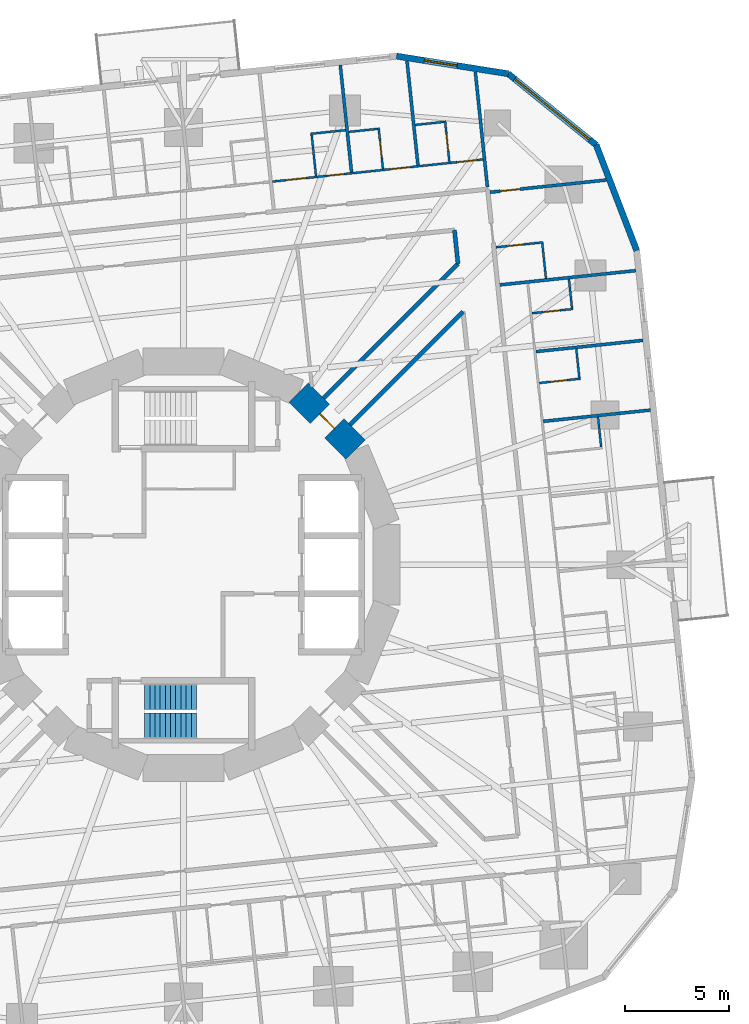
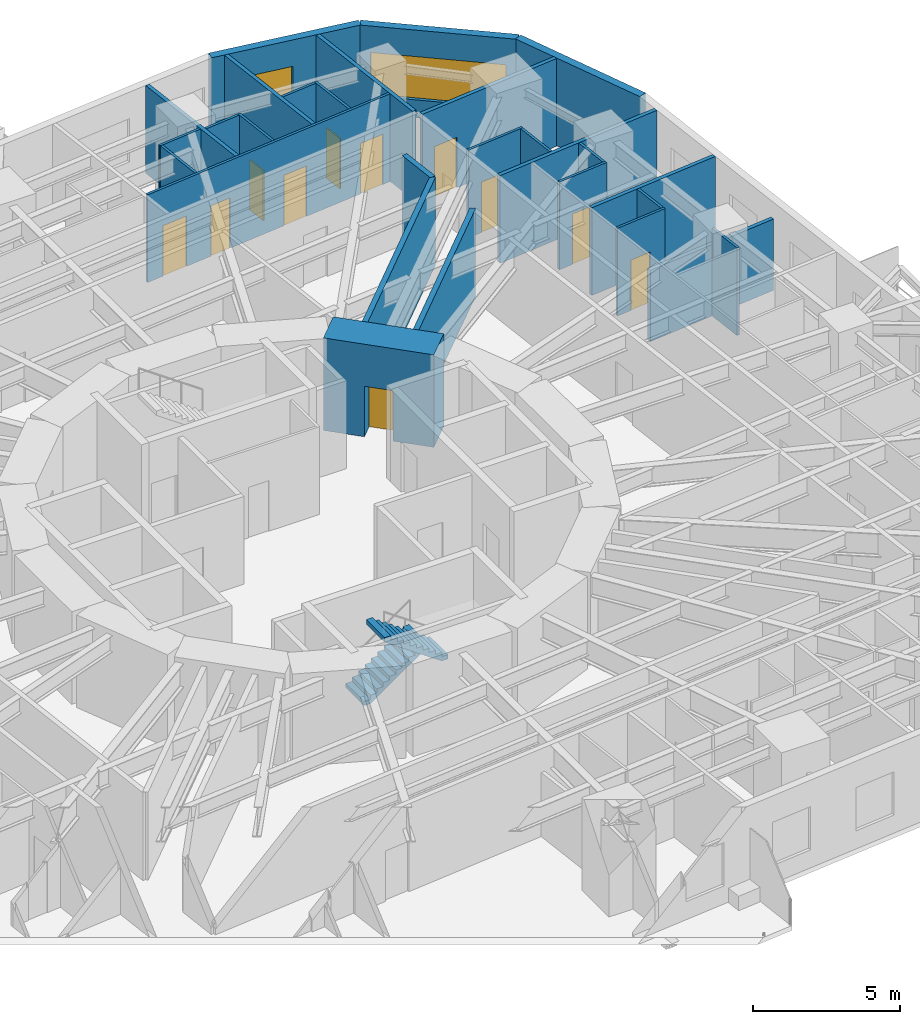
# One storey, part 12 of 15: 28 walls, 11 doors, 2 stair flights, 2 windows, 13 openings, 1 element without a shape of its own.
"""IFC4 building model written with IfcOpenShell, lengths in metres."""

from ifc_helpers import new_model, si_unit, direction, frame, frame_2d, origin, place, context, subcontext, project, spatial, polyline, rectangle, outline, extrude, material, layer, layer_set, type_object, element, fill, aggregate, save


model = new_model("IFC4")

# Units and contexts
model_context = context("Model", 3, precision=1e-05, world=origin(), true_north=direction((0.0, 1.0)))
body_context = subcontext(model_context, "Body", "Model", "MODEL_VIEW")
ifc_project = project(units=[si_unit("LENGTHUNIT", "METRE"), si_unit("AREAUNIT", "SQUARE_METRE"), si_unit("VOLUMEUNIT", "CUBIC_METRE"), si_unit("PLANEANGLEUNIT", "RADIAN"), si_unit("MASSUNIT", "GRAM", prefix="KILO")], contexts=[model_context])

# Site, building, storey
site_placement = place(None, origin())
site = spatial("IfcSite", under=ifc_project, at=site_placement, CompositionType="ELEMENT")
building_placement = place(site_placement, origin())
building = spatial("IfcBuilding", under=site, at=building_placement, Name="Nakasero Lantern House", CompositionType="ELEMENT")
storey_placement = place(building_placement, frame((0.0, 0.0, 68.199951171875)))
storey = spatial("IfcBuildingStorey", under=building, at=storey_placement, Name="L16", CompositionType="ELEMENT", Elevation=68.199951171875)

# Wall, openings, doors
ifc_material_1 = material(Name="Blockwork", Category="masonry")
ifc_layer_1 = layer(ifc_material_1, 0.10009765625)
ifc_layer_set_1 = layer_set([ifc_layer_1], Name="Cluster hall wall 100")
wall_type_1 = type_object("IfcWallType", Name="Cluster hall wall 100", PredefinedType="PARTITIONING", material=ifc_layer_set_1)
wall_1_placement = place(storey_placement, frame((14.458740234375, 19.568603515625, 0.0), z_axis=(0.0, 0.0, 1.0), x_axis=(-0.994520493056, -0.104541804513, 0.0)))
wall_1 = element("IfcWall", 1, at=wall_1_placement, inside=storey, type_object=wall_type_1, Name="Cluster hall wall L16 HW1-0", PredefinedType="PARTITIONING", context=body_context, shape_type="SweptSolid", body=[
    extrude(rectangle(XDim=10.2216796875, YDim=0.10009765625, at=frame_2d((5.11083984375, 0.0))), origin(), (0.0, 0.0, 1.0), 3.650146484375),
])
opening_1_placement = place(wall_1_placement, frame((8.57568359375, 0.0, 0.0)))
opening_1 = element("IfcOpeningElement", 2, at=opening_1_placement, cuts=wall_1, Name="Opening D03", PredefinedType="OPENING", context=body_context, shape_type="SweptSolid", body=[
    extrude(rectangle(XDim=1.0, YDim=2.10009765625, at=frame_2d((0.5, 1.050048828125))), frame((0.0, 0.070068359375, 0.0), z_axis=(0.0, -1.0, 0.0), x_axis=(1.0, 0.0, 0.0)), (0.0, 0.0, 1.0), 0.14013671875),
])
opening_2_placement = place(wall_1_placement, frame((6.75048828125, 0.0, 0.0)))
opening_2 = element("IfcOpeningElement", 3, at=opening_2_placement, cuts=wall_1, Name="Opening D02", PredefinedType="OPENING", context=body_context, shape_type="SweptSolid", body=[
    extrude(rectangle(XDim=0.800048828125, YDim=2.10009765625, at=frame_2d((0.39990234375, 1.050048828125))), frame((0.0, 0.070068359375, 0.0), z_axis=(0.0, -1.0, 0.0), x_axis=(1.0, 0.0, 0.0)), (0.0, 0.0, 1.0), 0.14013671875),
])
opening_3_placement = place(wall_1_placement, frame((0.300048828125, 0.0, 0.0)))
opening_3 = element("IfcOpeningElement", 4, at=opening_3_placement, cuts=wall_1, Name="Opening D01", PredefinedType="OPENING", context=body_context, shape_type="SweptSolid", body=[
    extrude(rectangle(XDim=0.949951171875, YDim=2.10009765625, at=frame_2d((0.47509765625, 1.050048828125))), frame((0.0, 0.070068359375, 0.0), z_axis=(0.0, -1.0, 0.0), x_axis=(1.0, 0.0, 0.0)), (0.0, 0.0, 1.0), 0.14013671875),
])
opening_4_placement = place(wall_1_placement, frame((3.525390625, 0.0, 0.0)))
opening_4 = element("IfcOpeningElement", 5, at=opening_4_placement, cuts=wall_1, Name="Opening D01", PredefinedType="OPENING", context=body_context, shape_type="SweptSolid", body=[
    extrude(rectangle(XDim=0.949951171875, YDim=2.10009765625, at=frame_2d((0.47509765625, 1.050048828125))), frame((0.0, 0.070068359375, 0.0), z_axis=(0.0, -1.0, 0.0), x_axis=(1.0, 0.0, 0.0)), (0.0, 0.0, 1.0), 0.14013671875),
])
ifc_material_2 = material(Name="Timber C24", Category="wood")
door_type_1 = type_object("IfcDoorType", Name="Bedroom door FD30S 950", OperationType="SINGLE_SWING_LEFT", PredefinedType="DOOR", material=ifc_material_2)
door_1_placement = place(opening_3_placement, origin())
door_1 = element("IfcDoor", 6, at=door_1_placement, inside=storey, type_object=door_type_1, Name="Door L16 D1-00", OperationType="SINGLE_SWING_LEFT", OverallHeight=2.10009765625, OverallWidth=0.949951171875, PredefinedType="DOOR", context=body_context, shape_type="SweptSolid", body=[
    extrude(rectangle(XDim=0.949951171875, YDim=2.10009765625, at=frame_2d((0.47509765625, 1.050048828125))), frame((0.0, 0.02490234375, 0.0), z_axis=(0.0, -1.0, 0.0), x_axis=(1.0, 0.0, 0.0)), (0.0, 0.0, 1.0), 0.050048828125),
])
fill(opening_3, door_1)
door_2_placement = place(opening_4_placement, origin())
door_2 = element("IfcDoor", 7, at=door_2_placement, inside=storey, type_object=door_type_1, Name="Door L16 D1-01", OperationType="SINGLE_SWING_LEFT", OverallHeight=2.10009765625, OverallWidth=0.949951171875, PredefinedType="DOOR", context=body_context, shape_type="SweptSolid", body=[
    extrude(rectangle(XDim=0.949951171875, YDim=2.10009765625, at=frame_2d((0.47509765625, 1.050048828125))), frame((0.0, 0.02490234375, 0.0), z_axis=(0.0, -1.0, 0.0), x_axis=(1.0, 0.0, 0.0)), (0.0, 0.0, 1.0), 0.050048828125),
])
fill(opening_4, door_2)
ifc_material_3 = material(Name="Timber C24", Category="wood")
door_type_2 = type_object("IfcDoorType", Name="En-suite door 800", OperationType="SINGLE_SWING_RIGHT", PredefinedType="DOOR", material=ifc_material_3)
door_3_placement = place(opening_2_placement, origin())
door_3 = element("IfcDoor", 8, at=door_3_placement, inside=storey, type_object=door_type_2, Name="Door L16 DSH1-0", OperationType="SINGLE_SWING_RIGHT", OverallHeight=2.10009765625, OverallWidth=0.800048828125, PredefinedType="DOOR", context=body_context, shape_type="SweptSolid", body=[
    extrude(rectangle(XDim=0.800048828125, YDim=2.10009765625, at=frame_2d((0.39990234375, 1.050048828125))), frame((0.0, 0.02490234375, 0.0), z_axis=(0.0, -1.0, 0.0), x_axis=(1.0, 0.0, 0.0)), (0.0, 0.0, 1.0), 0.050048828125),
])
fill(opening_2, door_3)
ifc_material_4 = material(Name="Timber C24", Category="wood")
door_type_3 = type_object("IfcDoorType", Name="Lounge door FD30S 1000", OperationType="SINGLE_SWING_LEFT", PredefinedType="DOOR", material=ifc_material_4)
door_4_placement = place(opening_1_placement, origin())
door_4 = element("IfcDoor", 9, at=door_4_placement, inside=storey, type_object=door_type_3, Name="Door L16 DH1-0", OperationType="SINGLE_SWING_RIGHT", OverallHeight=2.10009765625, OverallWidth=1.0, PredefinedType="DOOR", context=body_context, shape_type="SweptSolid", body=[
    extrude(rectangle(XDim=1.0, YDim=2.10009765625, at=frame_2d((0.5, 1.050048828125))), frame((0.0, 0.02490234375, 0.0), z_axis=(0.0, -1.0, 0.0), x_axis=(1.0, 0.0, 0.0)), (0.0, 0.0, 1.0), 0.050048828125),
])
fill(opening_1, door_4)

# Wall, opening, door
ifc_material_5 = material(Name="Concrete C50/60", Category="concrete")
ifc_layer_2 = layer(ifc_material_5, 1.300048828125)
ifc_layer_set_2 = layer_set([ifc_layer_2], Name="Core wall 1300")
wall_type_2 = type_object("IfcWallType", Name="Core wall 1300", PredefinedType="SHEAR", material=ifc_layer_set_2)
wall_2_placement = place(storey_placement, frame((8.314697265625, 5.5556640625, 0.0), z_axis=(0.0, 0.0, 1.0), x_axis=(-0.707106781187, 0.707106781187, 0.0)))
wall_2 = element("IfcWall", 10, at=wall_2_placement, inside=storey, type_object=wall_type_2, Name="Core wall L16 facet 2", PredefinedType="SHEAR", context=body_context, shape_type="SweptSolid", body=[
    extrude(rectangle(XDim=3.90185546875, YDim=1.300048828125, at=frame_2d((1.950927734375, 0.0))), origin(), (0.0, 0.0, 1.0), 3.85009765625),
])
opening_5_placement = place(wall_2_placement, frame((1.450927734375, 0.0, 0.0)))
opening_5 = element("IfcOpeningElement", 11, at=opening_5_placement, cuts=wall_2, Name="Opening D05", PredefinedType="OPENING", context=body_context, shape_type="SweptSolid", body=[
    extrude(rectangle(XDim=1.0, YDim=2.10009765625, at=frame_2d((0.5, 1.050048828125))), frame((0.0, 0.669921875, 0.0), z_axis=(0.0, -1.0, 0.0), x_axis=(1.0, 0.0, 0.0)), (0.0, 0.0, 1.0), 1.340087890625),
])
ifc_material_6 = material(Name="Timber C24", Category="wood")
door_type_4 = type_object("IfcDoorType", Name="Core door FD60S 1000", OperationType="SINGLE_SWING_LEFT", PredefinedType="DOOR", material=ifc_material_6)
door_5_placement = place(opening_5_placement, origin())
door_5 = element("IfcDoor", 12, at=door_5_placement, inside=storey, type_object=door_type_4, Name="Door L16 D-CORE02", OperationType="SINGLE_SWING_LEFT", OverallHeight=2.10009765625, OverallWidth=1.0, PredefinedType="DOOR", context=body_context, shape_type="SweptSolid", body=[
    extrude(rectangle(XDim=1.0, YDim=2.10009765625, at=frame_2d((0.5, 1.050048828125))), frame((0.0, 0.02490234375, 0.0), z_axis=(0.0, -1.0, 0.0), x_axis=(1.0, 0.0, 0.0)), (0.0, 0.0, 1.0), 0.050048828125),
])
fill(opening_5, door_5)

# Walls
ifc_material_7 = material(Name="Blockwork", Category="masonry")
ifc_layer_3 = layer(ifc_material_7, 0.199951171875)
ifc_layer_set_3 = layer_set([ifc_layer_3], Name="Corridor wall 200")
wall_type_3 = type_object("IfcWallType", Name="Corridor wall 200", PredefinedType="PARTITIONING", material=ifc_layer_set_3)
wall_3_placement = place(storey_placement, frame((13.254150390625, 14.52685546875, 0.0), z_axis=(0.0, 0.0, 1.0), x_axis=(-0.104475313001, 0.99452748025, 0.0)))
element("IfcWall", 13, at=wall_3_placement, inside=storey, type_object=wall_type_3, Name="Corridor wall L16 IW0-1", PredefinedType="PARTITIONING", context=body_context, shape_type="SweptSolid", body=[
    extrude(rectangle(XDim=1.63818359375, YDim=0.199951171875, at=frame_2d((0.819091796875, 0.0))), origin(), (0.0, 0.0, 1.0), 3.650146484375),
])
wall_4_placement = place(storey_placement, frame((6.758544921875, 8.03125, 0.0), z_axis=(0.0, 0.0, 1.0), x_axis=(0.707106781187, 0.707106781187, 0.0)))
element("IfcWall", 14, at=wall_4_placement, inside=storey, type_object=wall_type_3, Name="Corridor wall L16 PS02a", PredefinedType="PARTITIONING", context=body_context, shape_type="SweptSolid", body=[
    extrude(rectangle(XDim=9.186279296875, YDim=0.199951171875, at=frame_2d((4.59326171875, 0.0))), origin(), (0.0, 0.0, 1.0), 3.650146484375),
])
wall_5_placement = place(storey_placement, frame((8.03125, 6.758544921875, 0.0), z_axis=(0.0, 0.0, 1.0), x_axis=(0.707122575573, 0.707090986447, 0.0)))
element("IfcWall", 15, at=wall_5_placement, inside=storey, type_object=wall_type_3, Name="Corridor wall L16 PS02b", PredefinedType="PARTITIONING", context=body_context, shape_type="SweptSolid", body=[
    extrude(rectangle(XDim=7.728515625, YDim=0.199951171875, at=frame_2d((3.8642578125, 0.0))), origin(), (0.0, 0.0, 1.0), 3.650146484375),
])
ifc_material_8 = material(Name="Blockwork", Category="masonry")
ifc_layer_4 = layer(ifc_material_8, 0.10009765625)
ifc_layer_set_4 = layer_set([ifc_layer_4], Name="En-suite wall 100")
wall_type_4 = type_object("IfcWallType", Name="En-suite wall 100", PredefinedType="PARTITIONING", material=ifc_layer_set_4)
wall_6_placement = place(storey_placement, frame((20.166259765625, 5.68408203125, 0.0), z_axis=(0.0, 0.0, 1.0), x_axis=(-0.10455332221, 0.994519282274, 0.0)))
element("IfcWall", 16, at=wall_6_placement, inside=storey, type_object=wall_type_4, Name="En-suite wall L16 EE0-05", PredefinedType="PARTITIONING", context=body_context, shape_type="SweptSolid", body=[
    extrude(rectangle(XDim=1.4501953125, YDim=0.10009765625, at=frame_2d((0.72509765625, 0.0))), origin(), (0.0, 0.0, 1.0), 3.650146484375),
])

# Wall, opening, door
wall_7_placement = place(storey_placement, frame((17.177001953125, 8.774169921875, 0.0), z_axis=(0.0, 0.0, 1.0), x_axis=(0.99452550138, 0.104494148666, 0.0)))
wall_7 = element("IfcWall", 17, at=wall_7_placement, inside=storey, type_object=wall_type_4, Name="En-suite wall L16 ES0-06", PredefinedType="PARTITIONING", context=body_context, shape_type="SweptSolid", body=[
    extrude(rectangle(XDim=2.0, YDim=0.10009765625, at=frame_2d((1.0, 0.0))), origin(), (0.0, 0.0, 1.0), 3.650146484375),
])
opening_6_placement = place(wall_7_placement, frame((0.550048828125, 0.0, 0.0)))
opening_6 = element("IfcOpeningElement", 18, at=opening_6_placement, cuts=wall_7, Name="Opening D02", PredefinedType="OPENING", context=body_context, shape_type="SweptSolid", body=[
    extrude(rectangle(XDim=0.800048828125, YDim=2.10009765625, at=frame_2d((0.39990234375, 1.050048828125))), frame((0.0, 0.070068359375, 0.0), z_axis=(0.0, -1.0, 0.0), x_axis=(1.0, 0.0, 0.0)), (0.0, 0.0, 1.0), 0.14013671875),
])
door_6_placement = place(opening_6_placement, origin())
door_6 = element("IfcDoor", 19, at=door_6_placement, inside=storey, type_object=door_type_2, Name="Door L16 DE0-06", OperationType="SINGLE_SWING_LEFT", OverallHeight=2.10009765625, OverallWidth=0.800048828125, PredefinedType="DOOR", context=body_context, shape_type="SweptSolid", body=[
    extrude(rectangle(XDim=0.800048828125, YDim=2.10009765625, at=frame_2d((0.39990234375, 1.050048828125))), frame((0.0, 0.02490234375, 0.0), z_axis=(0.0, -1.0, 0.0), x_axis=(1.0, 0.0, 0.0)), (0.0, 0.0, 1.0), 0.050048828125),
])
fill(opening_6, door_6)

# Wall
wall_8_placement = place(storey_placement, frame((19.111083984375, 9.027587890625, 0.0), z_axis=(0.0, 0.0, 1.0), x_axis=(-0.104630319263, 0.994511184598, 0.0)))
element("IfcWall", 20, at=wall_8_placement, inside=storey, type_object=wall_type_4, Name="En-suite wall L16 EE0-06", PredefinedType="PARTITIONING", context=body_context, shape_type="SweptSolid", body=[
    extrude(rectangle(XDim=1.39990234375, YDim=0.10009765625, at=frame_2d((0.699951171875, 0.0))), origin(), (0.0, 0.0, 1.0), 3.650146484375),
])

# Wall, opening, door
wall_9_placement = place(storey_placement, frame((16.822998046875, 12.14111328125, 0.0), z_axis=(0.0, 0.0, 1.0), x_axis=(0.99452550138, 0.104494148666, 0.0)))
wall_9 = element("IfcWall", 21, at=wall_9_placement, inside=storey, type_object=wall_type_4, Name="En-suite wall L16 ES0-07", PredefinedType="PARTITIONING", context=body_context, shape_type="SweptSolid", body=[
    extrude(rectangle(XDim=2.0, YDim=0.10009765625, at=frame_2d((1.0, 0.0))), origin(), (0.0, 0.0, 1.0), 3.650146484375),
])
opening_7_placement = place(wall_9_placement, frame((0.550048828125, 0.0, 0.0)))
opening_7 = element("IfcOpeningElement", 22, at=opening_7_placement, cuts=wall_9, Name="Opening D02", PredefinedType="OPENING", context=body_context, shape_type="SweptSolid", body=[
    extrude(rectangle(XDim=0.800048828125, YDim=2.10009765625, at=frame_2d((0.39990234375, 1.050048828125))), frame((0.0, 0.070068359375, 0.0), z_axis=(0.0, -1.0, 0.0), x_axis=(1.0, 0.0, 0.0)), (0.0, 0.0, 1.0), 0.14013671875),
])
door_7_placement = place(opening_7_placement, origin())
door_7 = element("IfcDoor", 23, at=door_7_placement, inside=storey, type_object=door_type_2, Name="Door L16 DE0-07", OperationType="SINGLE_SWING_LEFT", OverallHeight=2.10009765625, OverallWidth=0.800048828125, PredefinedType="DOOR", context=body_context, shape_type="SweptSolid", body=[
    extrude(rectangle(XDim=0.800048828125, YDim=2.10009765625, at=frame_2d((0.39990234375, 1.050048828125))), frame((0.0, 0.02490234375, 0.0), z_axis=(0.0, -1.0, 0.0), x_axis=(1.0, 0.0, 0.0)), (0.0, 0.0, 1.0), 0.050048828125),
])
fill(opening_7, door_7)

# Wall
wall_10_placement = place(storey_placement, frame((18.757080078125, 12.394775390625, 0.0), z_axis=(0.0, 0.0, 1.0), x_axis=(-0.104457839748, 0.994529315664, 0.0)))
element("IfcWall", 24, at=wall_10_placement, inside=storey, type_object=wall_type_4, Name="En-suite wall L16 EE0-07", PredefinedType="PARTITIONING", context=body_context, shape_type="SweptSolid", body=[
    extrude(rectangle(XDim=1.39990234375, YDim=0.10009765625, at=frame_2d((0.699951171875, 0.0))), origin(), (0.0, 0.0, 1.0), 3.650146484375),
])

# Wall, opening, door
wall_11_placement = place(storey_placement, frame((15.08056640625, 15.326416015625, 0.0), z_axis=(0.0, 0.0, 1.0), x_axis=(0.994518822602, 0.104557694553, 0.0)))
wall_11 = element("IfcWall", 25, at=wall_11_placement, inside=storey, type_object=wall_type_4, Name="En-suite wall L16 ES0-08", PredefinedType="PARTITIONING", context=body_context, shape_type="SweptSolid", body=[
    extrude(rectangle(XDim=2.300048828125, YDim=0.10009765625, at=frame_2d((1.14990234375, 0.0))), origin(), (0.0, 0.0, 1.0), 3.650146484375),
])
opening_8_placement = place(wall_11_placement, frame((0.550048828125, 0.0, 0.0)))
opening_8 = element("IfcOpeningElement", 26, at=opening_8_placement, cuts=wall_11, Name="Opening D02", PredefinedType="OPENING", context=body_context, shape_type="SweptSolid", body=[
    extrude(rectangle(XDim=0.800048828125, YDim=2.10009765625, at=frame_2d((0.39990234375, 1.050048828125))), frame((0.0, 0.070068359375, 0.0), z_axis=(0.0, -1.0, 0.0), x_axis=(1.0, 0.0, 0.0)), (0.0, 0.0, 1.0), 0.14013671875),
])
door_8_placement = place(opening_8_placement, origin())
door_8 = element("IfcDoor", 27, at=door_8_placement, inside=storey, type_object=door_type_2, Name="Door L16 DE0-08", OperationType="SINGLE_SWING_LEFT", OverallHeight=2.10009765625, OverallWidth=0.800048828125, PredefinedType="DOOR", context=body_context, shape_type="SweptSolid", body=[
    extrude(rectangle(XDim=0.800048828125, YDim=2.10009765625, at=frame_2d((0.39990234375, 1.050048828125))), frame((0.0, 0.02490234375, 0.0), z_axis=(0.0, -1.0, 0.0), x_axis=(1.0, 0.0, 0.0)), (0.0, 0.0, 1.0), 0.050048828125),
])
fill(opening_8, door_8)

# Walls
wall_12_placement = place(storey_placement, frame((17.501220703125, 13.8212890625, 0.0), z_axis=(0.0, 0.0, 1.0), x_axis=(-0.104550220202, 0.994519608382, 0.0)))
element("IfcWall", 28, at=wall_12_placement, inside=storey, type_object=wall_type_4, Name="En-suite wall L16 EE0-08", PredefinedType="PARTITIONING", context=body_context, shape_type="SweptSolid", body=[
    extrude(rectangle(XDim=1.699951171875, YDim=0.10009765625, at=frame_2d((0.85009765625, 0.0))), origin(), (0.0, 0.0, 1.0), 3.650146484375),
])
wall_13_placement = place(storey_placement, frame((6.397216796875, 18.771484375, 0.0), z_axis=(0.0, 0.0, 1.0), x_axis=(-0.104509292252, 0.994523910136, 0.0)))
element("IfcWall", 29, at=wall_13_placement, inside=storey, type_object=wall_type_4, Name="En-suite wall L16 SS1-0", PredefinedType="PARTITIONING", context=body_context, shape_type="SweptSolid", body=[
    extrude(rectangle(XDim=2.10009765625, YDim=0.10009765625, at=frame_2d((1.050048828125, 0.0))), origin(), (0.0, 0.0, 1.0), 3.650146484375),
])
wall_14_placement = place(storey_placement, frame((7.823974609375, 20.982666015625, 0.0), z_axis=(0.0, 0.0, 1.0), x_axis=(-0.994534530939, -0.104408173862, 0.0)))
element("IfcWall", 30, at=wall_14_placement, inside=storey, type_object=wall_type_4, Name="En-suite wall L16 SE1-0", PredefinedType="PARTITIONING", context=body_context, shape_type="SweptSolid", body=[
    extrude(rectangle(XDim=1.699951171875, YDim=0.10009765625, at=frame_2d((0.85009765625, 0.0))), origin(), (0.0, 0.0, 1.0), 3.650146484375),
])

# Wall, opening, door
wall_15_placement = place(storey_placement, frame((12.837158203125, 19.448486328125, 0.0), z_axis=(0.0, 0.0, 1.0), x_axis=(-0.104494148666, 0.99452550138, 0.0)))
wall_15 = element("IfcWall", 31, at=wall_15_placement, inside=storey, type_object=wall_type_4, Name="En-suite wall L16 ES1-00", PredefinedType="PARTITIONING", context=body_context, shape_type="SweptSolid", body=[
    extrude(rectangle(XDim=2.0, YDim=0.10009765625, at=frame_2d((1.0, 0.0))), origin(), (0.0, 0.0, 1.0), 3.650146484375),
])
opening_9_placement = place(wall_15_placement, frame((0.550048828125, 0.0, 0.0)))
opening_9 = element("IfcOpeningElement", 32, at=opening_9_placement, cuts=wall_15, Name="Opening D02", PredefinedType="OPENING", context=body_context, shape_type="SweptSolid", body=[
    extrude(rectangle(XDim=0.800048828125, YDim=2.10009765625, at=frame_2d((0.39990234375, 1.050048828125))), frame((0.0, 0.070068359375, 0.0), z_axis=(0.0, -1.0, 0.0), x_axis=(1.0, 0.0, 0.0)), (0.0, 0.0, 1.0), 0.14013671875),
])
door_9_placement = place(opening_9_placement, origin())
door_9 = element("IfcDoor", 33, at=door_9_placement, inside=storey, type_object=door_type_2, Name="Door L16 DE1-00", OperationType="SINGLE_SWING_LEFT", OverallHeight=2.10009765625, OverallWidth=0.800048828125, PredefinedType="DOOR", context=body_context, shape_type="SweptSolid", body=[
    extrude(rectangle(XDim=0.800048828125, YDim=2.10009765625, at=frame_2d((0.39990234375, 1.050048828125))), frame((0.0, 0.02490234375, 0.0), z_axis=(0.0, -1.0, 0.0), x_axis=(1.0, 0.0, 0.0)), (0.0, 0.0, 1.0), 0.050048828125),
])
fill(opening_9, door_9)

# Wall
wall_16_placement = place(storey_placement, frame((12.58349609375, 21.382568359375, 0.0), z_axis=(0.0, 0.0, 1.0), x_axis=(-0.994511184598, -0.104630319263, 0.0)))
element("IfcWall", 34, at=wall_16_placement, inside=storey, type_object=wall_type_4, Name="En-suite wall L16 EE1-00", PredefinedType="PARTITIONING", context=body_context, shape_type="SweptSolid", body=[
    extrude(rectangle(XDim=1.39990234375, YDim=0.10009765625, at=frame_2d((0.699951171875, 0.0))), origin(), (0.0, 0.0, 1.0), 3.650146484375),
])

# Wall, opening, door
wall_17_placement = place(storey_placement, frame((9.62939453125, 19.111328125, 0.0), z_axis=(0.0, 0.0, 1.0), x_axis=(-0.104494148666, 0.99452550138, 0.0)))
wall_17 = element("IfcWall", 35, at=wall_17_placement, inside=storey, type_object=wall_type_4, Name="En-suite wall L16 ES1-01", PredefinedType="PARTITIONING", context=body_context, shape_type="SweptSolid", body=[
    extrude(rectangle(XDim=2.0, YDim=0.10009765625, at=frame_2d((1.0, 0.0))), origin(), (0.0, 0.0, 1.0), 3.650146484375),
])
opening_10_placement = place(wall_17_placement, frame((0.550048828125, 0.0, 0.0)))
opening_10 = element("IfcOpeningElement", 36, at=opening_10_placement, cuts=wall_17, Name="Opening D02", PredefinedType="OPENING", context=body_context, shape_type="SweptSolid", body=[
    extrude(rectangle(XDim=0.800048828125, YDim=2.10009765625, at=frame_2d((0.39990234375, 1.050048828125))), frame((0.0, 0.070068359375, 0.0), z_axis=(0.0, -1.0, 0.0), x_axis=(1.0, 0.0, 0.0)), (0.0, 0.0, 1.0), 0.14013671875),
])
door_10_placement = place(opening_10_placement, origin())
door_10 = element("IfcDoor", 37, at=door_10_placement, inside=storey, type_object=door_type_2, Name="Door L16 DE1-01", OperationType="SINGLE_SWING_LEFT", OverallHeight=2.10009765625, OverallWidth=0.800048828125, PredefinedType="DOOR", context=body_context, shape_type="SweptSolid", body=[
    extrude(rectangle(XDim=0.800048828125, YDim=2.10009765625, at=frame_2d((0.39990234375, 1.050048828125))), frame((0.0, 0.02490234375, 0.0), z_axis=(0.0, -1.0, 0.0), x_axis=(1.0, 0.0, 0.0)), (0.0, 0.0, 1.0), 0.050048828125),
])
fill(opening_10, door_10)

# Walls
wall_18_placement = place(storey_placement, frame((9.3759765625, 21.04541015625, 0.0), z_axis=(0.0, 0.0, 1.0), x_axis=(-0.994511184598, -0.104630319263, 0.0)))
element("IfcWall", 38, at=wall_18_placement, inside=storey, type_object=wall_type_4, Name="En-suite wall L16 EE1-01", PredefinedType="PARTITIONING", context=body_context, shape_type="SweptSolid", body=[
    extrude(rectangle(XDim=1.39990234375, YDim=0.10009765625, at=frame_2d((0.699951171875, 0.0))), origin(), (0.0, 0.0, 1.0), 3.650146484375),
])
ifc_material_9 = material(Name="Aluminium rainscreen on blockwork", Category="masonry")
ifc_layer_5 = layer(ifc_material_9, 0.300048828125)
ifc_layer_set_5 = layer_set([ifc_layer_5], Name="Facade wall 300")
wall_type_5 = type_object("IfcWallType", Name="Facade wall 300", PredefinedType="SOLIDWALL", material=ifc_layer_set_5)
wall_19_placement = place(storey_placement, frame((21.884033203125, 15.170654296875, 0.0), z_axis=(0.0, 0.0, 1.0), x_axis=(-0.358358884793, 0.933583906079, 0.0)))
element("IfcWall", 39, at=wall_19_placement, inside=storey, type_object=wall_type_5, Name="Facade wall L16 FW0C1", PredefinedType="SOLIDWALL", context=body_context, shape_type="SweptSolid", body=[
    extrude(rectangle(XDim=5.461181640625, YDim=0.300048828125, at=frame_2d((2.73046875, 0.0))), origin(), (0.0, 0.0, 1.0), 3.650146484375),
])

# Wall, opening, window
wall_20_placement = place(storey_placement, frame((19.927001953125, 20.26904296875, 0.0), z_axis=(0.0, 0.0, 1.0), x_axis=(-0.777134500863, 0.629334543442, 0.0)))
wall_20 = element("IfcWall", 40, at=wall_20_placement, inside=storey, type_object=wall_type_5, Name="Facade wall L16 FW0C2", PredefinedType="SOLIDWALL", context=body_context, shape_type="SweptSolid", body=[
    extrude(rectangle(XDim=5.4609375, YDim=0.300048828125, at=frame_2d((2.73046875, 0.0))), origin(), (0.0, 0.0, 1.0), 3.650146484375),
])
opening_11_placement = place(wall_20_placement, frame((0.39990234375, 0.0, 0.75)))
opening_11 = element("IfcOpeningElement", 41, at=opening_11_placement, cuts=wall_20, Name="Opening W246", PredefinedType="OPENING", context=body_context, shape_type="SweptSolid", body=[
    extrude(rectangle(XDim=4.660888671875, YDim=1.800048828125, at=frame_2d((2.33056640625, 0.89990234375))), frame((0.0, 0.169921875, 0.0), z_axis=(0.0, -1.0, 0.0), x_axis=(1.0, 0.0, 0.0)), (0.0, 0.0, 1.0), 0.340087890625),
])
ifc_material_10 = material(Name="Aluminium 6063-T6 and glass", Category="aluminium")
window_type_1 = type_object("IfcWindowType", Name="Corner window 4661x1800", PartitioningType="SINGLE_PANEL", PredefinedType="WINDOW", material=ifc_material_10)
window_1_placement = place(opening_11_placement, origin())
window_1 = element("IfcWindow", 42, at=window_1_placement, inside=storey, type_object=window_type_1, Name="Window L16 WC0", OverallHeight=1.800048828125, OverallWidth=4.660888671875, PartitioningType="SINGLE_PANEL", PredefinedType="WINDOW", context=body_context, shape_type="SweptSolid", body=[
    extrude(rectangle(XDim=4.660888671875, YDim=1.800048828125, at=frame_2d((2.33056640625, 0.89990234375))), frame((0.0, 0.030029296875, 0.0), z_axis=(0.0, -1.0, 0.0), x_axis=(1.0, 0.0, 0.0)), (0.0, 0.0, 1.0), 0.06005859375),
])
fill(opening_11, window_1)

wall_21_placement = place(storey_placement, frame((15.68310546875, 23.705810546875, 0.0), z_axis=(0.0, 0.0, 1.0), x_axis=(-0.987690729142, 0.156419383601, 0.0)))
wall_21 = element("IfcWall", 43, at=wall_21_placement, inside=storey, type_object=wall_type_5, Name="Facade wall L16 FW0C3", PredefinedType="SOLIDWALL", context=body_context, shape_type="SweptSolid", body=[
    extrude(rectangle(XDim=5.461181640625, YDim=0.300048828125, at=frame_2d((2.73046875, 0.0))), origin(), (0.0, 0.0, 1.0), 3.650146484375),
])
opening_12_placement = place(wall_21_placement, frame((2.5, 0.0, 0.75)))
opening_12 = element("IfcOpeningElement", 44, at=opening_12_placement, cuts=wall_21, Name="Opening W01", PredefinedType="OPENING", context=body_context, shape_type="SweptSolid", body=[
    extrude(rectangle(XDim=1.60009765625, YDim=1.800048828125, at=frame_2d((0.800048828125, 0.89990234375))), frame((0.0, 0.169921875, 0.0), z_axis=(0.0, -1.0, 0.0), x_axis=(1.0, 0.0, 0.0)), (0.0, 0.0, 1.0), 0.340087890625),
])
ifc_material_11 = material(Name="Aluminium 6063-T6 and glass", Category="aluminium")
window_type_2 = type_object("IfcWindowType", Name="Bedroom window 1600x1800", PartitioningType="SINGLE_PANEL", PredefinedType="WINDOW", material=ifc_material_11)
window_2_placement = place(opening_12_placement, origin())
window_2 = element("IfcWindow", 45, at=window_2_placement, inside=storey, type_object=window_type_2, Name="Window L16 WN1-00", OverallHeight=1.800048828125, OverallWidth=1.60009765625, PartitioningType="SINGLE_PANEL", PredefinedType="WINDOW", context=body_context, shape_type="SweptSolid", body=[
    extrude(rectangle(XDim=1.60009765625, YDim=1.800048828125, at=frame_2d((0.800048828125, 0.89990234375))), frame((0.0, 0.030029296875, 0.0), z_axis=(0.0, -1.0, 0.0), x_axis=(1.0, 0.0, 0.0)), (0.0, 0.0, 1.0), 0.06005859375),
])
fill(opening_12, window_2)

# Walls
ifc_material_12 = material(Name="Blockwork", Category="masonry")
ifc_layer_6 = layer(ifc_material_12, 0.14990234375)
ifc_layer_set_6 = layer_set([ifc_layer_6], Name="Party wall 150")
wall_type_6 = type_object("IfcWallType", Name="Party wall 150", PredefinedType="PARTITIONING", material=ifc_layer_set_6)
wall_22_placement = place(storey_placement, frame((17.371337890625, 6.923828125, 0.0), z_axis=(0.0, 0.0, 1.0), x_axis=(0.994523959761, 0.104508820017, 0.0)))
element("IfcWall", 46, at=wall_22_placement, inside=storey, type_object=wall_type_6, Name="Party wall L16 PW0-06", PredefinedType="PARTITIONING", context=body_context, shape_type="SweptSolid", body=[
    extrude(rectangle(XDim=5.2001953125, YDim=0.14990234375, at=frame_2d((2.60009765625, 0.0))), origin(), (0.0, 0.0, 1.0), 2.966552734375),
])
wall_23_placement = place(storey_placement, frame((17.017578125, 10.290771484375, 0.0), z_axis=(0.0, 0.0, 1.0), x_axis=(0.994523446942, 0.104513699976, 0.0)))
element("IfcWall", 47, at=wall_23_placement, inside=storey, type_object=wall_type_6, Name="Party wall L16 PW0-07", PredefinedType="PARTITIONING", context=body_context, shape_type="SweptSolid", body=[
    extrude(rectangle(XDim=5.199951171875, YDim=0.14990234375, at=frame_2d((2.60009765625, 0.0))), origin(), (0.0, 0.0, 1.0), 3.650146484375),
])
wall_24_placement = place(storey_placement, frame((15.271240234375, 13.511474609375, 0.0), z_axis=(0.0, 0.0, 1.0), x_axis=(0.994521251134, 0.104534592565, 0.0)))
element("IfcWall", 48, at=wall_24_placement, inside=storey, type_object=wall_type_6, Name="Party wall L16 PW0-08", PredefinedType="PARTITIONING", context=body_context, shape_type="SweptSolid", body=[
    extrude(rectangle(XDim=6.60009765625, YDim=0.14990234375, at=frame_2d((3.300048828125, 0.0))), origin(), (0.0, 0.0, 1.0), 3.650146484375),
])

# Wall, opening, door
wall_25_placement = place(storey_placement, frame((14.801025390625, 17.9853515625, 0.0), z_axis=(0.0, 0.0, 1.0), x_axis=(0.994522751177, 0.104520320471, 0.0)))
wall_25 = element("IfcWall", 49, at=wall_25_placement, inside=storey, type_object=wall_type_6, Name="Party wall L16 PC0", PredefinedType="PARTITIONING", context=body_context, shape_type="SweptSolid", body=[
    extrude(rectangle(XDim=5.64111328125, YDim=0.14990234375, at=frame_2d((2.820556640625, 0.0))), origin(), (0.0, 0.0, 1.0), 3.650146484375),
])
opening_13_placement = place(wall_25_placement, frame((0.5, 0.0, 0.0)))
opening_13 = element("IfcOpeningElement", 50, at=opening_13_placement, cuts=wall_25, Name="Opening D01", PredefinedType="OPENING", context=body_context, shape_type="SweptSolid", body=[
    extrude(rectangle(XDim=0.949951171875, YDim=2.10009765625, at=frame_2d((0.47509765625, 1.050048828125))), frame((0.0, 0.094970703125, 0.0), z_axis=(0.0, -1.0, 0.0), x_axis=(1.0, 0.0, 0.0)), (0.0, 0.0, 1.0), 0.18994140625),
])
door_11_placement = place(opening_13_placement, origin())
door_11 = element("IfcDoor", 51, at=door_11_placement, inside=storey, type_object=door_type_1, Name="Door L16 DC0", OperationType="SINGLE_SWING_LEFT", OverallHeight=2.10009765625, OverallWidth=0.949951171875, PredefinedType="DOOR", context=body_context, shape_type="SweptSolid", body=[
    extrude(rectangle(XDim=0.949951171875, YDim=2.10009765625, at=frame_2d((0.47509765625, 1.050048828125))), frame((0.0, 0.02490234375, 0.0), z_axis=(0.0, -1.0, 0.0), x_axis=(1.0, 0.0, 0.0)), (0.0, 0.0, 1.0), 0.050048828125),
])
fill(opening_13, door_11)

# Walls
wall_26_placement = place(storey_placement, frame((14.674560546875, 18.23388671875, 0.0), z_axis=(0.0, 0.0, 1.0), x_axis=(-0.104541754786, 0.994520498284, 0.0)))
element("IfcWall", 52, at=wall_26_placement, inside=storey, type_object=wall_type_6, Name="Party wall L16 PW1-00", PredefinedType="PARTITIONING", context=body_context, shape_type="SweptSolid", body=[
    extrude(rectangle(XDim=5.597900390625, YDim=0.14990234375, at=frame_2d((2.798828125, 0.0))), origin(), (0.0, 0.0, 1.0), 3.650146484375),
])
wall_27_placement = place(storey_placement, frame((11.320556640625, 19.2890625, 0.0), z_axis=(0.0, 0.0, 1.0), x_axis=(-0.104559257608, 0.994518658271, 0.0)))
element("IfcWall", 53, at=wall_27_placement, inside=storey, type_object=wall_type_6, Name="Party wall L16 PW1-01", PredefinedType="PARTITIONING", context=body_context, shape_type="SweptSolid", body=[
    extrude(rectangle(XDim=5.062255859375, YDim=0.14990234375, at=frame_2d((2.53125, 0.0))), origin(), (0.0, 0.0, 1.0), 3.650146484375),
])
wall_28_placement = place(storey_placement, frame((8.11279296875, 18.951904296875, 0.0), z_axis=(0.0, 0.0, 1.0), x_axis=(-0.104513699976, 0.994523446942, 0.0)))
element("IfcWall", 54, at=wall_28_placement, inside=storey, type_object=wall_type_6, Name="Party wall L16 PW1-02", PredefinedType="PARTITIONING", context=body_context, shape_type="SweptSolid", body=[
    extrude(rectangle(XDim=5.199951171875, YDim=0.14990234375, at=frame_2d((2.60009765625, 0.0))), origin(), (0.0, 0.0, 1.0), 3.650146484375),
])

# Stair, stair flights
ifc_material_13 = material(Name="Concrete C40/50", Category="concrete")
stair_type = type_object("IfcStairType", Name="Escape stair ST2 22 risers", PredefinedType="HALF_TURN_STAIR", material=ifc_material_13)
stair_placement = place(storey_placement, origin())
stair = element("IfcStair", 55, at=stair_placement, inside=storey, type_object=stair_type, Name="Escape stair ST2 L16", PredefinedType="HALF_TURN_STAIR")
ifc_material_14 = material(Name="Concrete C40/50", Category="concrete")
stair_flight_type = type_object("IfcStairFlightType", Name="Escape stair flight", PredefinedType="STRAIGHT", material=ifc_material_14)
stair_flight_1_placement = place(storey_placement, frame((-1.875, -6.375, 0.0), z_axis=(0.0, 0.0, 1.0), x_axis=(1.0, 0.0, 0.0)))
stair_flight_1 = element("IfcStairFlight", 56, at=stair_flight_1_placement, type_object=stair_flight_type, Name="ST2 flight 1", NumberOfRisers=11, NumberOfTreads=10, PredefinedType="STRAIGHT", RiserHeight=0.175, TreadLength=0.25, context=body_context, shape_type="SweptSolid", body=[
    extrude(outline(polyline([(0.0, 0.0), (0.0, 0.175048828125), (0.25, 0.175048828125), (0.25, 0.35009765625), (0.5, 0.35009765625), (0.5, 0.52490234375), (0.75, 0.52490234375), (0.75, 0.699951171875), (1.0, 0.699951171875), (1.0, 0.875), (1.25, 0.875), (1.25, 1.050048828125), (1.5, 1.050048828125), (1.5, 1.22509765625), (1.75, 1.22509765625), (1.75, 1.39990234375), (2.0, 1.39990234375), (2.0, 1.574951171875), (2.25, 1.574951171875), (2.25, 1.75), (2.5, 1.75), (2.5, 1.925048828125), (2.5, 1.567138671875), (0.261474609375, 0.0), (0.0, 0.0)])), frame((0.0, 0.625, 0.0), z_axis=(0.0, -1.0, 0.0), x_axis=(1.0, 0.0, 0.0)), (0.0, 0.0, 1.0), 1.25),
])
stair_flight_2_placement = place(storey_placement, frame((0.625, -7.77490234375, 1.925048828125), z_axis=(0.0, 0.0, 1.0), x_axis=(-1.0, 0.0, 0.0)))
stair_flight_2 = element("IfcStairFlight", 57, at=stair_flight_2_placement, type_object=stair_flight_type, Name="ST2 flight 2", NumberOfRisers=11, NumberOfTreads=10, PredefinedType="STRAIGHT", RiserHeight=0.175, TreadLength=0.25, context=body_context, shape_type="SweptSolid", body=[
    extrude(outline(polyline([(0.0, 0.0), (0.0, 0.175048828125), (0.25, 0.175048828125), (0.25, 0.35009765625), (0.5, 0.35009765625), (0.5, 0.52490234375), (0.75, 0.52490234375), (0.75, 0.699951171875), (1.0, 0.699951171875), (1.0, 0.875), (1.25, 0.875), (1.25, 1.050048828125), (1.5, 1.050048828125), (1.5, 1.22509765625), (1.75, 1.22509765625), (1.75, 1.39990234375), (2.0, 1.39990234375), (2.0, 1.574951171875), (2.25, 1.574951171875), (2.25, 1.75), (2.5, 1.75), (2.5, 1.925048828125), (2.5, 1.567138671875), (0.261474609375, 0.0), (0.0, 0.0)])), frame((0.0, 0.625, 0.0), z_axis=(0.0, -1.0, 0.0), x_axis=(1.0, 0.0, 0.0)), (0.0, 0.0, 1.0), 1.25),
])
aggregate(stair, [stair_flight_1, stair_flight_2])

save(model, "model.ifc")
